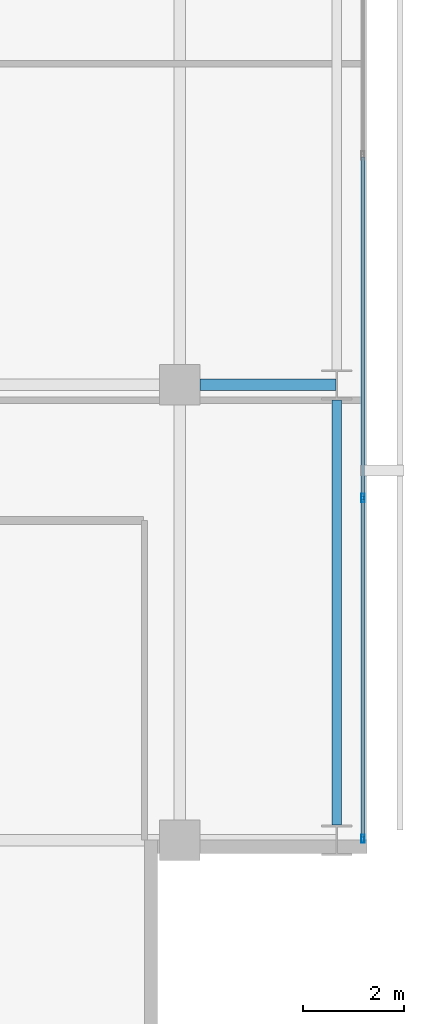
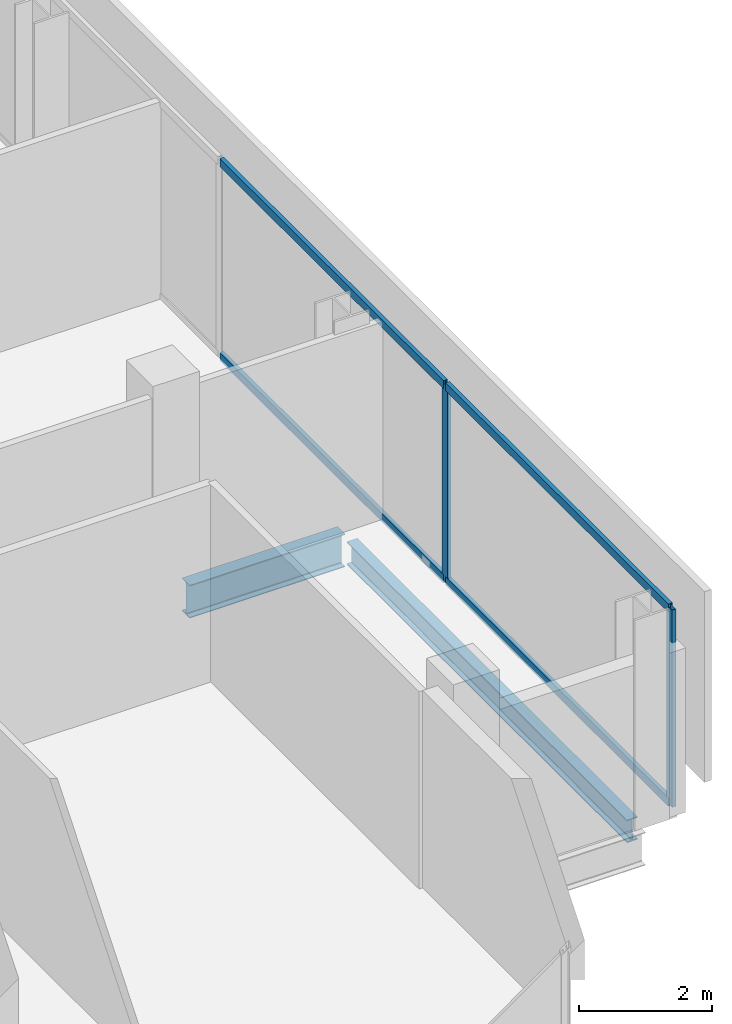
# One storey, part 15 of 33: 6 members, 2 beams, 1 element without a shape of its own.
"""IFC4 building model written with IfcOpenShell, lengths in metres."""

from ifc_helpers import new_model, si_unit, direction, frame, origin, origin_2d, place, context, subcontext, project, spatial, hollow_rectangle, i_section, extrude, material, layer, layer_set, material_profile, profile_set, type_object, element, aggregate, save


model = new_model("IFC4")

# Units and contexts
model_context = context("Model", 3, precision=1e-05, world=origin(), true_north=direction((0.0, 1.0)))
body_context = subcontext(model_context, "Body", "Model", "MODEL_VIEW")
ifc_project = project(units=[si_unit("LENGTHUNIT", "METRE"), si_unit("AREAUNIT", "SQUARE_METRE"), si_unit("VOLUMEUNIT", "CUBIC_METRE"), si_unit("PLANEANGLEUNIT", "RADIAN"), si_unit("MASSUNIT", "GRAM", prefix="KILO")], contexts=[model_context])

# Site, building, storey
site_placement = place(None, origin())
site = spatial("IfcSite", under=ifc_project, at=site_placement, CompositionType="ELEMENT")
building_placement = place(site_placement, origin())
building = spatial("IfcBuilding", under=site, at=building_placement, Name="Maruvema Waterfront Hotel and Observation Tower", CompositionType="ELEMENT")
storey_placement = place(building_placement, frame((0.0, 0.0, 169.75)))
storey = spatial("IfcBuildingStorey", under=building, at=storey_placement, Name="L41", CompositionType="ELEMENT", Elevation=169.75)

# Curtain wall, members
ifc_material_1 = material(Name="Anodised bronze aluminium and solar-control low-E IGU", Category="aluminium")
ifc_layer = layer(ifc_material_1, 0.159912109375, Name="Zone 2 Amber Inner Thermal Curtain Wall System CW-03")
ifc_layer_set = layer_set([ifc_layer], Name="Anodised bronze aluminium and solar-control low-E IGU")
curtain_wall_type = type_object("IfcCurtainWallType", Name="Zone 2 Amber Inner Thermal Curtain Wall System CW-03", PredefinedType="USERDEFINED", material=ifc_layer_set)
curtain_wall_placement = place(storey_placement, origin())
curtain_wall = element("IfcCurtainWall", 1, at=curtain_wall_placement, inside=storey, type_object=curtain_wall_type, Name="L41 Curtain Wall CW-L41-E", ObjectType="UNITISED CURTAIN WALL", PredefinedType="USERDEFINED")
ifc_material_2 = material(Name="Anodised architectural bronze aluminium", Category="aluminium")
ifc_material_profile_1 = material_profile(ifc_material_2, hollow_rectangle(XDim=0.070068359375, YDim=0.14990234375, WallThickness=0.00390625, at=origin_2d()), Name="ALU-T70x150")
ifc_profile_set_1 = profile_set([ifc_material_profile_1], Name="Anodised architectural bronze aluminium")
member_type_1 = type_object("IfcMemberType", Name="Curtain Wall Horizontal Transom ALU-T70x150", PredefinedType="USERDEFINED", material=ifc_profile_set_1)
member_1_placement = place(storey_placement, frame((62.419921875, 9.06005859375, 0.030029296875), z_axis=(0.0, 1.0, 0.0), x_axis=(-1.0, 0.0, 0.0)))
member_1 = element("IfcMember", 2, at=member_1_placement, type_object=member_type_1, Name="CW-03 transom 1.1", ObjectType="TRANSOM", PredefinedType="USERDEFINED", context=body_context, shape_type="SweptSolid", body=[
    extrude(hollow_rectangle(XDim=0.070068359375, YDim=0.14990234375, WallThickness=0.00390625, at=origin_2d()), origin(), (0.0, 0.0, 1.0), 6.676513671875),
])
member_2_placement = place(storey_placement, frame((62.419921875, 9.06005859375, 3.580078125), z_axis=(0.0, 1.0, 0.0), x_axis=(-1.0, 0.0, 0.0)))
member_2 = element("IfcMember", 3, at=member_2_placement, type_object=member_type_1, Name="CW-03 transom 1.2", ObjectType="TRANSOM", PredefinedType="USERDEFINED", context=body_context, shape_type="SweptSolid", body=[
    extrude(hollow_rectangle(XDim=0.070068359375, YDim=0.14990234375, WallThickness=0.00390625, at=origin_2d()), origin(), (0.0, 0.0, 1.0), 6.676513671875),
])
member_3_placement = place(storey_placement, frame((62.419921875, 15.796630859375, 0.030029296875), z_axis=(0.0, 1.0, 0.0), x_axis=(-1.0, 0.0, 0.0)))
member_3 = element("IfcMember", 4, at=member_3_placement, type_object=member_type_1, Name="CW-03 transom 2.1", ObjectType="TRANSOM", PredefinedType="USERDEFINED", context=body_context, shape_type="SweptSolid", body=[
    extrude(hollow_rectangle(XDim=0.070068359375, YDim=0.14990234375, WallThickness=0.00390625, at=origin_2d()), origin(), (0.0, 0.0, 1.0), 6.706787109375),
])
member_4_placement = place(storey_placement, frame((62.419921875, 15.796630859375, 3.580078125), z_axis=(0.0, 1.0, 0.0), x_axis=(-1.0, 0.0, 0.0)))
member_4 = element("IfcMember", 5, at=member_4_placement, type_object=member_type_1, Name="CW-03 transom 2.2", ObjectType="TRANSOM", PredefinedType="USERDEFINED", context=body_context, shape_type="SweptSolid", body=[
    extrude(hollow_rectangle(XDim=0.070068359375, YDim=0.14990234375, WallThickness=0.00390625, at=origin_2d()), origin(), (0.0, 0.0, 1.0), 6.706787109375),
])
ifc_material_3 = material(Name="Anodised architectural bronze aluminium", Category="aluminium")
ifc_material_profile_2 = material_profile(ifc_material_3, hollow_rectangle(XDim=0.06494140625, YDim=0.1650390625, WallThickness=0.00390625, at=origin_2d()), Name="ALU-M65x165")
ifc_profile_set_2 = profile_set([ifc_material_profile_2], Name="Anodised architectural bronze aluminium")
member_type_2 = type_object("IfcMemberType", Name="Curtain Wall Primary Mullion ALU-M65x165", PredefinedType="MULLION", material=ifc_profile_set_2)
member_5_placement = place(storey_placement, frame((62.419921875, 9.030029296875, 0.0), z_axis=(0.0, 0.0, 1.0), x_axis=(-1.0, 0.0, 0.0)))
member_5 = element("IfcMember", 6, at=member_5_placement, type_object=member_type_2, Name="CW-03 mullion 1", PredefinedType="MULLION", context=body_context, shape_type="SweptSolid", body=[
    extrude(hollow_rectangle(XDim=0.06494140625, YDim=0.1650390625, WallThickness=0.00390625, at=origin_2d()), origin(), (0.0, 0.0, 1.0), 3.610107421875),
])
member_6_placement = place(storey_placement, frame((62.419921875, 15.7666015625, 0.0), z_axis=(0.0, 0.0, 1.0), x_axis=(-1.0, 0.0, 0.0)))
member_6 = element("IfcMember", 7, at=member_6_placement, type_object=member_type_2, Name="CW-03 mullion 2", PredefinedType="MULLION", context=body_context, shape_type="SweptSolid", body=[
    extrude(hollow_rectangle(XDim=0.06494140625, YDim=0.1650390625, WallThickness=0.00390625, at=origin_2d()), origin(), (0.0, 0.0, 1.0), 3.610107421875),
])
aggregate(curtain_wall, [member_5, member_6, member_1, member_2, member_3, member_4])

# Beams
ifc_material_4 = material(Name="Steel ASTM A572 Grade 50", Category="steel")
ifc_material_profile_3 = material_profile(ifc_material_4, i_section(OverallWidth=0.180908203125, OverallDepth=0.4169921875, WebThickness=0.010986328125, FlangeThickness=0.018310546875, FilletRadius=0.014892578125, at=origin_2d()), Name="W410x85.0")
ifc_profile_set_3 = profile_set([ifc_material_profile_3], Name="Steel ASTM A572 Grade 50")
beam_type_1 = type_object("IfcBeamType", Name="Perimeter Spandrel Beam W410x85.0", PredefinedType="SPANDREL", material=ifc_profile_set_3)
beam_1_placement = place(storey_placement, frame((61.89990234375, 9.300048828125, -0.448486328125), z_axis=(0.0, 1.0, 0.0), x_axis=(-1.0, 0.0, 0.0)))
element("IfcBeam", 8, at=beam_1_placement, inside=storey, type_object=beam_type_1, Name="L41 Floor Girder NS-29", PredefinedType="SPANDREL", context=body_context, shape_type="SweptSolid", body=[
    extrude(i_section(OverallWidth=0.180908203125, OverallDepth=0.4169921875, WebThickness=0.010986328125, FlangeThickness=0.018310546875, FilletRadius=0.014892578125, at=origin_2d()), origin(), (0.0, 0.0, 1.0), 8.39990234375),
])
ifc_material_5 = material(Name="Steel ASTM A572 Grade 50", Category="steel")
ifc_material_profile_4 = material_profile(ifc_material_5, i_section(OverallWidth=0.22802734375, OverallDepth=0.60302734375, WebThickness=0.010498046875, FlangeThickness=0.014892578125, FilletRadius=0.01806640625, at=origin_2d()), Name="W610x101.0")
ifc_profile_set_4 = profile_set([ifc_material_profile_4], Name="Steel ASTM A572 Grade 50")
beam_type_2 = type_object("IfcBeamType", Name="Primary Floor Girder W610x101.0", PredefinedType="BEAM", material=ifc_profile_set_4)
beam_2_placement = place(storey_placement, frame((59.199951171875, 18.0, -0.54150390625), z_axis=(1.0, 0.0, 0.0), x_axis=(0.0, 1.0, 0.0)))
element("IfcBeam", 9, at=beam_2_placement, inside=storey, type_object=beam_type_2, Name="L41 Floor Girder EW-17", PredefinedType="BEAM", context=body_context, shape_type="SweptSolid", body=[
    extrude(i_section(OverallWidth=0.22802734375, OverallDepth=0.60302734375, WebThickness=0.010498046875, FlangeThickness=0.014892578125, FilletRadius=0.01806640625, at=origin_2d()), origin(), (0.0, 0.0, 1.0), 2.6875),
])

save(model, "model.ifc")
